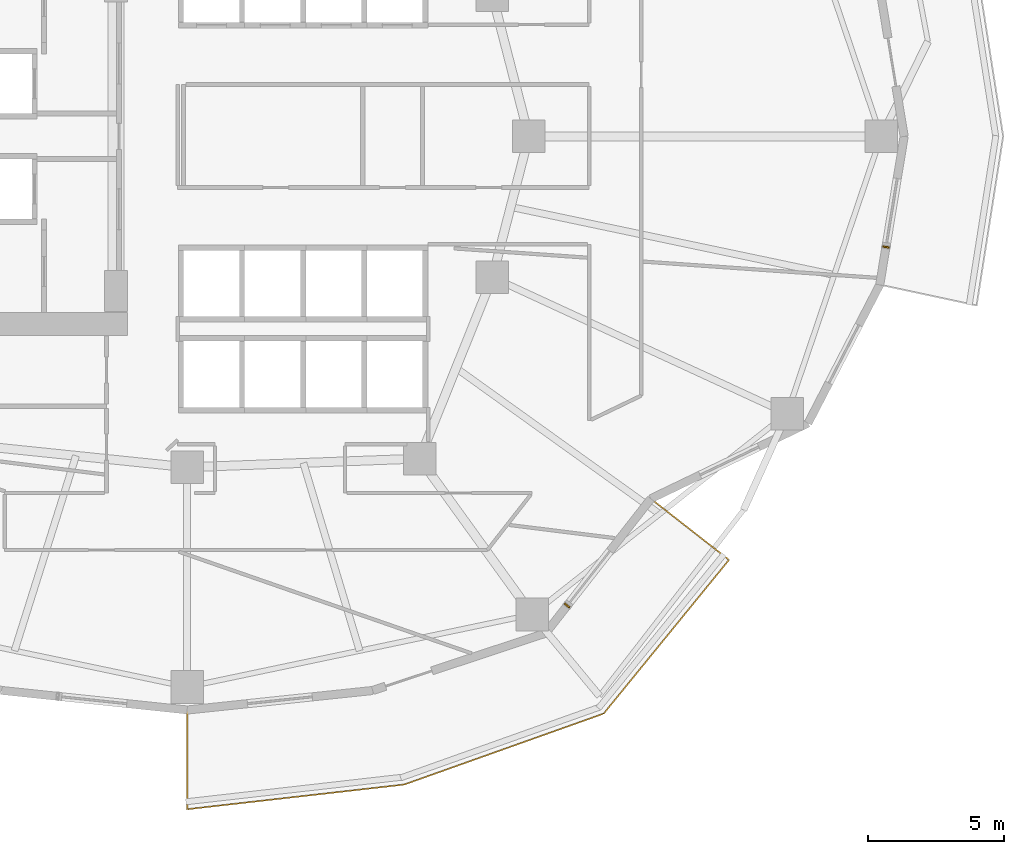
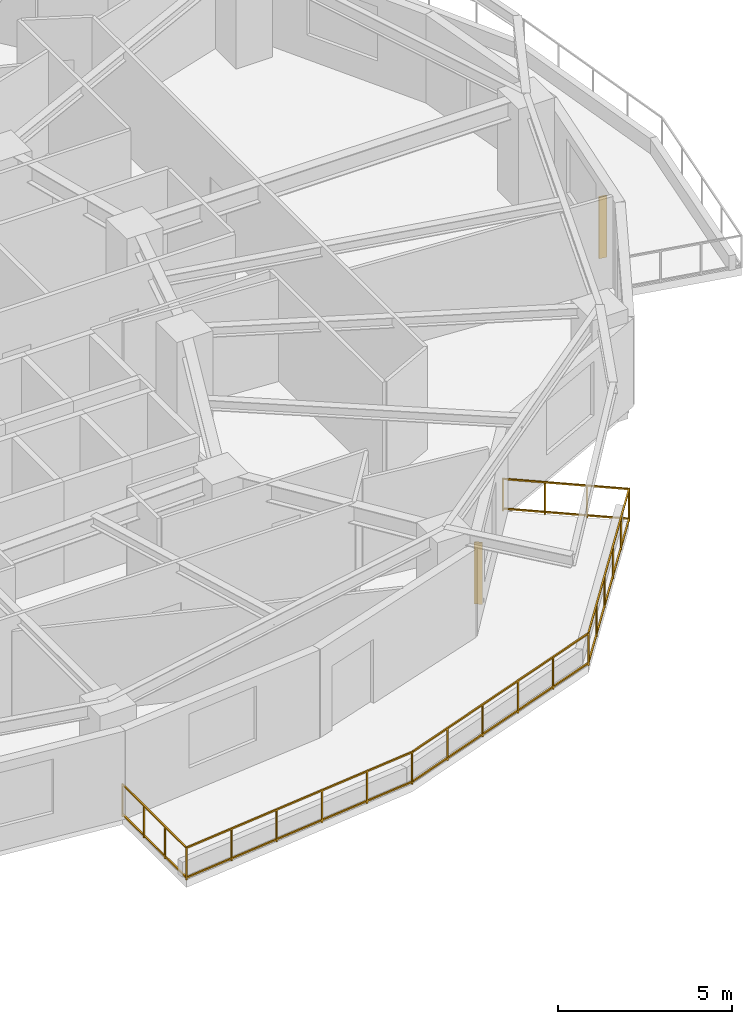
# One storey, part 9 of 11: 2 shading devices, 1 railing.
"""IFC4 building model written with IfcOpenShell, lengths in metres."""

from ifc_helpers import new_model, si_unit, direction, frame, origin, origin_2d, place, context, subcontext, project, spatial, rectangle, extrude, material, type_object, element, save


model = new_model("IFC4")

# Units and contexts
model_context = context("Model", 3, precision=1e-05, world=origin(), true_north=direction((0.0, 1.0)))
body_context = subcontext(model_context, "Body", "Model", "MODEL_VIEW")
ifc_project = project(units=[si_unit("LENGTHUNIT", "METRE"), si_unit("AREAUNIT", "SQUARE_METRE"), si_unit("VOLUMEUNIT", "CUBIC_METRE"), si_unit("PLANEANGLEUNIT", "RADIAN"), si_unit("MASSUNIT", "GRAM", prefix="KILO")], contexts=[model_context])

# Site, building, storey
site_placement = place(None, origin())
site = spatial("IfcSite", under=ifc_project, at=site_placement, CompositionType="ELEMENT")
building_placement = place(site_placement, origin())
building = spatial("IfcBuilding", under=site, at=building_placement, Name="Kolvaren Gate Tower and Convention Centre", CompositionType="ELEMENT")
storey_placement = place(building_placement, frame((0.0, 0.0, 80.39990234375)))
storey = spatial("IfcBuildingStorey", under=building, at=storey_placement, Name="L19", CompositionType="ELEMENT", Elevation=80.39990234375)

# Railing
ifc_material_1 = material(Name="Brushed Stainless Steel Grade 316L", Category="steel")
railing_type = type_object("IfcRailingType", Name="ARCH-RL-GUARD-1150", PredefinedType="GUARDRAIL", material=ifc_material_1)
railing_placement = place(storey_placement, frame((30.125, 5.85009765625, 0.0)))
element("IfcRailing", 1, at=railing_placement, inside=storey, type_object=railing_type, Name="Tower L19 Terrace Perimeter Guardrail GR-3", PredefinedType="GUARDRAIL", context=body_context, shape_type="SweptSolid", body=[
    extrude(rectangle(XDim=0.048095703125, YDim=0.048095703125, at=origin_2d()), frame((0.0, -0.028076171875, 1.1259765625), z_axis=(0.0, -1.0, 0.0), x_axis=(1.0, 0.0, 0.0)), (0.0, 0.0, 1.0), 3.60400390625),
    extrude(rectangle(XDim=0.048095703125, YDim=0.048095703125, at=origin_2d()), frame((0.0, -0.028076171875, 0.083984375), z_axis=(0.0, -1.0, 0.0), x_axis=(1.0, 0.0, 0.0)), (0.0, 0.0, 1.0), 3.60400390625),
    extrude(rectangle(XDim=0.048095703125, YDim=0.048095703125, at=origin_2d()), frame((0.02783203125, -3.656982421875, 1.1259765625), z_axis=(0.993598144351, 0.112972242349, 0.0), x_axis=(-0.112972242349, 0.993598144351, 0.0)), (0.0, 0.0, 1.0), 8.000244140625),
    extrude(rectangle(XDim=0.048095703125, YDim=0.048095703125, at=origin_2d()), frame((0.02783203125, -3.656982421875, 0.083984375), z_axis=(0.993598144351, 0.112972242349, 0.0), x_axis=(-0.112972242349, 0.993598144351, 0.0)), (0.0, 0.0, 1.0), 8.000244140625),
    extrude(rectangle(XDim=0.048095703125, YDim=0.048095703125, at=origin_2d()), frame((8.03125, -2.74072265625, 1.1259765625), z_axis=(0.942200211781, 0.335050385643, 0.0), x_axis=(-0.335050385643, 0.942200211781, 0.0)), (0.0, 0.0, 1.0), 7.7509765625),
    extrude(rectangle(XDim=0.048095703125, YDim=0.048095703125, at=origin_2d()), frame((8.03125, -2.74072265625, 0.083984375), z_axis=(0.942200211781, 0.335050385643, 0.0), x_axis=(-0.335050385643, 0.942200211781, 0.0)), (0.0, 0.0, 1.0), 7.7509765625),
    extrude(rectangle(XDim=0.048095703125, YDim=0.048095703125, at=origin_2d()), frame((15.37841796875, -0.112548828125, 1.1259765625), z_axis=(0.631819273026, 0.775115737315, 0.0), x_axis=(-0.775115737315, 0.631819273026, 0.0)), (0.0, 0.0, 1.0), 7.259765625),
    extrude(rectangle(XDim=0.048095703125, YDim=0.048095703125, at=origin_2d()), frame((15.37841796875, -0.112548828125, 0.083984375), z_axis=(0.631819273026, 0.775115737315, 0.0), x_axis=(-0.775115737315, 0.631819273026, 0.0)), (0.0, 0.0, 1.0), 7.259765625),
    extrude(rectangle(XDim=0.048095703125, YDim=0.048095703125, at=origin_2d()), frame((19.960693359375, 5.5537109375, 1.1259765625), z_axis=(-0.787988976981, 0.61568934712, 0.0), x_axis=(-0.61568934712, -0.787988976981, 0.0)), (0.0, 0.0, 1.0), 3.60400390625),
    extrude(rectangle(XDim=0.048095703125, YDim=0.048095703125, at=origin_2d()), frame((19.960693359375, 5.5537109375, 0.083984375), z_axis=(-0.787988976981, 0.61568934712, 0.0), x_axis=(-0.61568934712, -0.787988976981, 0.0)), (0.0, 0.0, 1.0), 3.60400390625),
    extrude(rectangle(XDim=0.0419921875, YDim=0.0419921875, at=origin_2d()), origin(), (0.0, 0.0, 1.0), 1.14990234375),
    extrude(rectangle(XDim=0.0419921875, YDim=0.0419921875, at=origin_2d()), frame((0.0, -3.66015625, 0.0)), (0.0, 0.0, 1.0), 1.14990234375),
    extrude(rectangle(XDim=0.0419921875, YDim=0.0419921875, at=origin_2d()), frame((0.0, -1.219970703125, 0.0)), (0.0, 0.0, 1.0), 1.099853515625),
    extrude(rectangle(XDim=0.0419921875, YDim=0.0419921875, at=origin_2d()), frame((0.0, -2.440185546875, 0.0)), (0.0, 0.0, 1.0), 1.099853515625),
    extrude(rectangle(XDim=0.0419921875, YDim=0.0419921875, at=origin_2d()), frame((8.0048828125, -2.75, 0.0)), (0.0, 0.0, 1.0), 1.14990234375),
    extrude(rectangle(XDim=0.0419921875, YDim=0.0419921875, at=origin_2d()), frame((1.60107421875, -3.47802734375, 0.0)), (0.0, 0.0, 1.0), 1.099853515625),
    extrude(rectangle(XDim=0.0419921875, YDim=0.0419921875, at=origin_2d()), frame((3.201904296875, -3.296142578125, 0.0)), (0.0, 0.0, 1.0), 1.099853515625),
    extrude(rectangle(XDim=0.0419921875, YDim=0.0419921875, at=origin_2d()), frame((4.802978515625, -3.114013671875, 0.0)), (0.0, 0.0, 1.0), 1.099853515625),
    extrude(rectangle(XDim=0.0419921875, YDim=0.0419921875, at=origin_2d()), frame((6.40380859375, -2.93212890625, 0.0)), (0.0, 0.0, 1.0), 1.099853515625),
    extrude(rectangle(XDim=0.0419921875, YDim=0.0419921875, at=origin_2d()), frame((15.360595703125, -0.13427734375, 0.0)), (0.0, 0.0, 1.0), 1.14990234375),
    extrude(rectangle(XDim=0.0419921875, YDim=0.0419921875, at=origin_2d()), frame((9.47607421875, -2.226806640625, 0.0)), (0.0, 0.0, 1.0), 1.099853515625),
    extrude(rectangle(XDim=0.0419921875, YDim=0.0419921875, at=origin_2d()), frame((10.947265625, -1.70361328125, 0.0)), (0.0, 0.0, 1.0), 1.099853515625),
    extrude(rectangle(XDim=0.0419921875, YDim=0.0419921875, at=origin_2d()), frame((12.418212890625, -1.1806640625, 0.0)), (0.0, 0.0, 1.0), 1.099853515625),
    extrude(rectangle(XDim=0.0419921875, YDim=0.0419921875, at=origin_2d()), frame((13.889404296875, -0.657470703125, 0.0)), (0.0, 0.0, 1.0), 1.099853515625),
    extrude(rectangle(XDim=0.0419921875, YDim=0.0419921875, at=origin_2d()), frame((19.98291015625, 5.536376953125, 0.0)), (0.0, 0.0, 1.0), 1.14990234375),
    extrude(rectangle(XDim=0.0419921875, YDim=0.0419921875, at=origin_2d()), frame((16.28515625, 0.999755859375, 0.0)), (0.0, 0.0, 1.0), 1.099853515625),
    extrude(rectangle(XDim=0.0419921875, YDim=0.0419921875, at=origin_2d()), frame((17.20947265625, 2.134033203125, 0.0)), (0.0, 0.0, 1.0), 1.099853515625),
    extrude(rectangle(XDim=0.0419921875, YDim=0.0419921875, at=origin_2d()), frame((18.134033203125, 3.26806640625, 0.0)), (0.0, 0.0, 1.0), 1.099853515625),
    extrude(rectangle(XDim=0.0419921875, YDim=0.0419921875, at=origin_2d()), frame((19.058349609375, 4.40234375, 0.0)), (0.0, 0.0, 1.0), 1.099853515625),
    extrude(rectangle(XDim=0.0419921875, YDim=0.0419921875, at=origin_2d()), frame((17.098876953125, 7.789794921875, 0.0)), (0.0, 0.0, 1.0), 1.14990234375),
    extrude(rectangle(XDim=0.0419921875, YDim=0.0419921875, at=origin_2d()), frame((19.021484375, 6.28759765625, 0.0)), (0.0, 0.0, 1.0), 1.099853515625),
    extrude(rectangle(XDim=0.0419921875, YDim=0.0419921875, at=origin_2d()), frame((18.060302734375, 7.03857421875, 0.0)), (0.0, 0.0, 1.0), 1.099853515625),
])

# Shading devices
ifc_material_2 = material(Name="Kiln-Fired Bogota Terracotta Ceramic Louvre Profile", Category="masonry")
shading_device_type = type_object("IfcShadingDeviceType", Name="ARCH-SHD-FIN-180", PredefinedType="JALOUSIE", material=ifc_material_2)
for number, where, z_axis, x_axis, name in (
    (2, (44.138916015625, 9.699462890625, 0.22021484375), (0.0, 0.0, 1.0), (0.616431370541, 0.787408639407, 0.0), "Ceramic Vertical Brise-Soleil Fin FN-L19-20"),
    (3, (55.891357421875, 22.921142578125, 0.22021484375), (0.0, 0.0, 1.0), (0.162375401515, 0.986729055508, 0.0), "Ceramic Vertical Brise-Soleil Fin FN-L19-23"),
):
    element("IfcShadingDevice", number, at=place(storey_placement, frame(where, z_axis=z_axis, x_axis=x_axis)), inside=storey, type_object=shading_device_type, Name=name, PredefinedType="JALOUSIE", context=body_context, shape_type="SweptSolid", body=[
        extrude(rectangle(XDim=0.06005859375, YDim=0.239990234375, at=origin_2d()), origin(), (0.0, 0.0, 1.0), 2.14990234375),
    ])

save(model, "model.ifc")
